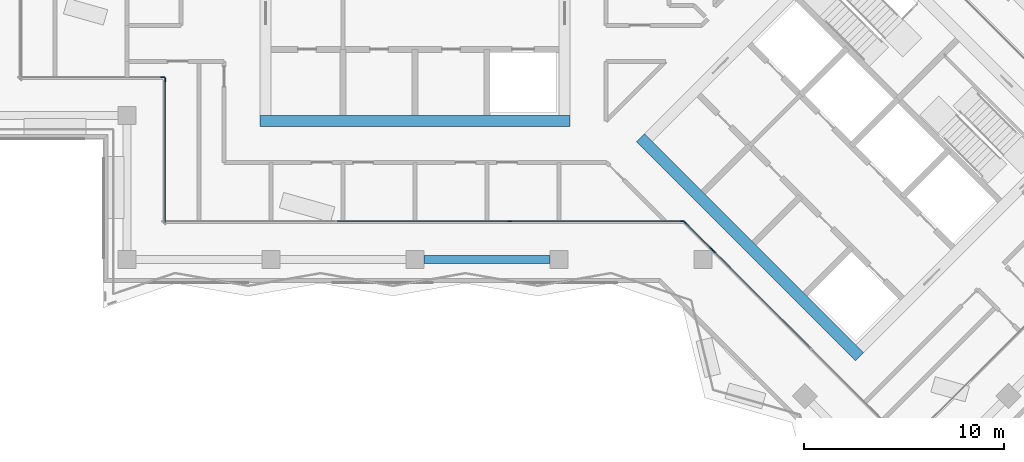
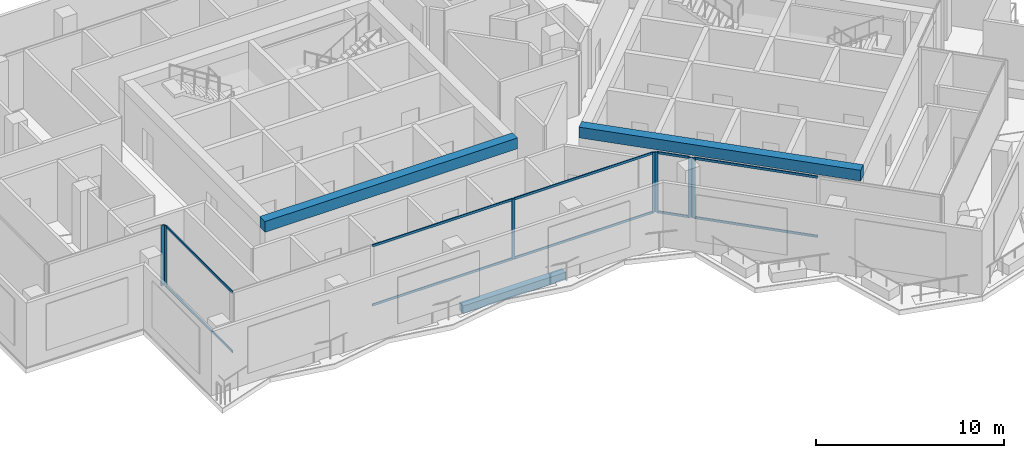
# One storey, part 3 of 19: 17 members, 3 beams, 5 elements without a shape of their own.
"""IFC4 building model written with IfcOpenShell, lengths in metres."""

from ifc_helpers import new_model, si_unit, direction, frame, origin, origin_2d, place, context, subcontext, project, spatial, rectangle, extrude, material, material_profile, profile_set, type_object, element, aggregate, save


model = new_model("IFC4")

# Units and contexts
model_context = context("Model", 3, precision=1e-05, world=origin(), true_north=direction((0.0, 1.0)))
body_context = subcontext(model_context, "Body", "Model", "MODEL_VIEW")
ifc_project = project(units=[si_unit("LENGTHUNIT", "METRE"), si_unit("AREAUNIT", "SQUARE_METRE"), si_unit("VOLUMEUNIT", "CUBIC_METRE"), si_unit("PLANEANGLEUNIT", "RADIAN"), si_unit("MASSUNIT", "GRAM", prefix="KILO")], contexts=[model_context])

# Site, building, storey
site_placement = place(None, origin())
site = spatial("IfcSite", under=ifc_project, at=site_placement, CompositionType="ELEMENT")
building_placement = place(site_placement, origin())
building = spatial("IfcBuilding", under=site, at=building_placement, Name="Windrow Commons", CompositionType="ELEMENT")
storey_placement = place(building_placement, frame((0.0, 0.0, 176.2)))
storey = spatial("IfcBuildingStorey", under=building, at=storey_placement, Name="L48", CompositionType="ELEMENT", Elevation=176.2)

# Curtain wall, member
ifc_material_1 = material(Name="Clear laminated glass in Aluminium 6063-T6 anodised frame", Category="aluminium")
curtain_wall_type = type_object("IfcCurtainWallType", Name="Curtain wall CW2H sky lounge upper", PredefinedType="USERDEFINED", material=ifc_material_1)
placement = place(storey_placement, origin())
curtain_wall_1 = element("IfcCurtainWall", 1, at=placement, inside=storey, type_object=curtain_wall_type, Name="Curtain wall CW2H L48 10", ObjectType="UNITISED", PredefinedType="USERDEFINED")
ifc_material_2 = material(Name="Aluminium 6063-T6", Category="aluminium")
ifc_material_profile_1 = material_profile(ifc_material_2, rectangle(XDim=0.06, YDim=0.2, at=origin_2d()))
ifc_profile_set_1 = profile_set([ifc_material_profile_1], Name="Aluminium 6063-T6")
member_type_1 = type_object("IfcMemberType", Name="CW2H mullion 60x200", PredefinedType="MULLION", material=ifc_profile_set_1)
member_1_placement = place(storey_placement, frame((52.17, 52.3, 0.0), z_axis=(0.0, 0.0, 1.0), x_axis=(0.0, 1.0, 0.0)))
member_1 = element("IfcMember", 2, at=member_1_placement, type_object=member_type_1, Name="CW2H mullion 2", PredefinedType="MULLION", context=body_context, shape_type="SweptSolid", body=[
    extrude(rectangle(XDim=0.06, YDim=0.2, at=origin_2d()), origin(), (0.0, 0.0, 1.0), 3.9),
])
aggregate(curtain_wall_1, [member_1])

curtain_wall_2 = element("IfcCurtainWall", 3, at=placement, inside=storey, type_object=curtain_wall_type, Name="Curtain wall CW2H L48 11", ObjectType="UNITISED", PredefinedType="USERDEFINED")
member_2_placement = place(storey_placement, frame((52.3, 52.17, 0.0), z_axis=(0.0, 0.0, 1.0), x_axis=(1.0, 0.0, 0.0)))
member_2 = element("IfcMember", 4, at=member_2_placement, type_object=member_type_1, Name="CW2H mullion 1", PredefinedType="MULLION", context=body_context, shape_type="SweptSolid", body=[
    extrude(rectangle(XDim=0.06, YDim=0.2, at=origin_2d()), origin(), (0.0, 0.0, 1.0), 3.9),
])

# Curtain wall, members
curtain_wall_3 = element("IfcCurtainWall", 5, at=placement, inside=storey, type_object=curtain_wall_type, Name="Curtain wall CW2H L48 12", ObjectType="UNITISED", PredefinedType="USERDEFINED")
member_3_placement = place(storey_placement, frame((69.5324, 45.1, 0.0), z_axis=(0.0, 0.0, 1.0), x_axis=(0.0, 1.0, 0.0)))
member_3 = element("IfcMember", 6, at=member_3_placement, type_object=member_type_1, Name="CW2H mullion 3", PredefinedType="MULLION", context=body_context, shape_type="SweptSolid", body=[
    extrude(rectangle(XDim=0.06, YDim=0.2, at=origin_2d()), origin(), (0.0, 0.0, 1.0), 3.9),
])
member_4_placement = place(storey_placement, frame((78.1686, 45.1, 0.0), z_axis=(0.0, 0.0, 1.0), x_axis=(0.0, 1.0, 0.0)))
member_4 = element("IfcMember", 7, at=member_4_placement, type_object=member_type_1, Name="CW2H mullion 4", PredefinedType="MULLION", context=body_context, shape_type="SweptSolid", body=[
    extrude(rectangle(XDim=0.06, YDim=0.2, at=origin_2d()), origin(), (0.0, 0.0, 1.0), 3.9),
])

curtain_wall_4 = element("IfcCurtainWall", 8, at=placement, inside=storey, type_object=curtain_wall_type, Name="Curtain wall CW2H L48 13", ObjectType="UNITISED", PredefinedType="USERDEFINED")
member_5_placement = place(storey_placement, frame((78.2905, 45.0495, 0.0), z_axis=(0.0, 0.0, 1.0), x_axis=(0.7071099424, 0.70710362, 0.0)))
member_5 = element("IfcMember", 9, at=member_5_placement, type_object=member_type_1, Name="CW2H mullion 1", PredefinedType="MULLION", context=body_context, shape_type="SweptSolid", body=[
    extrude(rectangle(XDim=0.06, YDim=0.2, at=origin_2d()), origin(), (0.0, 0.0, 1.0), 3.9),
])
member_6_placement = place(storey_placement, frame((79.5967, 43.7433, 0.0), z_axis=(0.0, 0.0, 1.0), x_axis=(0.7071099424, 0.70710362, 0.0)))
member_6 = element("IfcMember", 10, at=member_6_placement, type_object=member_type_1, Name="CW2H mullion 2", PredefinedType="MULLION", context=body_context, shape_type="SweptSolid", body=[
    extrude(rectangle(XDim=0.06, YDim=0.2, at=origin_2d()), origin(), (0.0, 0.0, 1.0), 3.9),
])

# Curtain wall, member
curtain_wall_5 = element("IfcCurtainWall", 11, at=placement, inside=storey, type_object=curtain_wall_type, Name="Curtain wall CW2H L48 13.2", ObjectType="UNITISED", PredefinedType="USERDEFINED")
member_7_placement = place(storey_placement, frame((79.7433, 43.5967, 0.0), z_axis=(0.0, 0.0, 1.0), x_axis=(0.7071099425, 0.7071036198, 0.0)))
member_7 = element("IfcMember", 12, at=member_7_placement, type_object=member_type_1, Name="CW2H mullion 1", PredefinedType="MULLION", context=body_context, shape_type="SweptSolid", body=[
    extrude(rectangle(XDim=0.06, YDim=0.2, at=origin_2d()), origin(), (0.0, 0.0, 1.0), 3.9),
])

# Member
ifc_material_3 = material(Name="Aluminium 6063-T6", Category="aluminium")
ifc_material_profile_2 = material_profile(ifc_material_3, rectangle(XDim=0.06, YDim=0.15, at=origin_2d()))
ifc_profile_set_2 = profile_set([ifc_material_profile_2], Name="Aluminium 6063-T6")
member_type_2 = type_object("IfcMemberType", Name="CW2H transom 60x150", PredefinedType="USERDEFINED", material=ifc_profile_set_2)
member_8_placement = place(storey_placement, frame((52.3, 52.14, 0.03), z_axis=(0.0, -1.0, 0.0), x_axis=(1.0, 0.0, 0.0)))
member_8 = element("IfcMember", 13, at=member_8_placement, type_object=member_type_2, Name="CW2H transom 1.1", ObjectType="TRANSOM", PredefinedType="USERDEFINED", context=body_context, shape_type="SweptSolid", body=[
    extrude(rectangle(XDim=0.06, YDim=0.15, at=origin_2d()), origin(), (0.0, 0.0, 1.0), 7.08),
])

member_9_placement = place(storey_placement, frame((52.3, 52.14, 3.87), z_axis=(0.0, -1.0, 0.0), x_axis=(1.0, 0.0, 0.0)))
member_9 = element("IfcMember", 14, at=member_9_placement, type_object=member_type_2, Name="CW2H transom 1.2", ObjectType="TRANSOM", PredefinedType="USERDEFINED", context=body_context, shape_type="SweptSolid", body=[
    extrude(rectangle(XDim=0.06, YDim=0.15, at=origin_2d()), origin(), (0.0, 0.0, 1.0), 7.08),
])

aggregate(curtain_wall_2, [member_2, member_8, member_9])

member_10_placement = place(storey_placement, frame((60.8962, 45.1, 0.03), z_axis=(1.0, 0.0, 0.0), x_axis=(0.0, 1.0, 0.0)))
member_10 = element("IfcMember", 15, at=member_10_placement, type_object=member_type_2, Name="CW2H transom 2.1", ObjectType="TRANSOM", PredefinedType="USERDEFINED", context=body_context, shape_type="SweptSolid", body=[
    extrude(rectangle(XDim=0.06, YDim=0.15, at=origin_2d()), origin(), (0.0, 0.0, 1.0), 8.6062),
])

member_11_placement = place(storey_placement, frame((60.8962, 45.1, 3.87), z_axis=(1.0, 0.0, 0.0), x_axis=(0.0, 1.0, 0.0)))
member_11 = element("IfcMember", 16, at=member_11_placement, type_object=member_type_2, Name="CW2H transom 2.2", ObjectType="TRANSOM", PredefinedType="USERDEFINED", context=body_context, shape_type="SweptSolid", body=[
    extrude(rectangle(XDim=0.06, YDim=0.15, at=origin_2d()), origin(), (0.0, 0.0, 1.0), 8.6062),
])

member_12_placement = place(storey_placement, frame((69.5624, 45.1, 0.03), z_axis=(1.0, 0.0, 0.0), x_axis=(0.0, 1.0, 0.0)))
member_12 = element("IfcMember", 17, at=member_12_placement, type_object=member_type_2, Name="CW2H transom 3.1", ObjectType="TRANSOM", PredefinedType="USERDEFINED", context=body_context, shape_type="SweptSolid", body=[
    extrude(rectangle(XDim=0.06, YDim=0.15, at=origin_2d()), origin(), (0.0, 0.0, 1.0), 8.5762),
])

member_13_placement = place(storey_placement, frame((69.5624, 45.1, 3.87), z_axis=(1.0, 0.0, 0.0), x_axis=(0.0, 1.0, 0.0)))
member_13 = element("IfcMember", 18, at=member_13_placement, type_object=member_type_2, Name="CW2H transom 3.2", ObjectType="TRANSOM", PredefinedType="USERDEFINED", context=body_context, shape_type="SweptSolid", body=[
    extrude(rectangle(XDim=0.06, YDim=0.15, at=origin_2d()), origin(), (0.0, 0.0, 1.0), 8.5762),
])

aggregate(curtain_wall_3, [member_3, member_4, member_10, member_11, member_12, member_13])

member_14_placement = place(storey_placement, frame((78.3117, 45.0283, 0.03), z_axis=(0.7071347572, -0.7070788041, 0.0), x_axis=(0.7070788041, 0.7071347572, 0.0)))
member_14 = element("IfcMember", 19, at=member_14_placement, type_object=member_type_2, Name="CW2H transom 1.1", ObjectType="TRANSOM", PredefinedType="USERDEFINED", context=body_context, shape_type="SweptSolid", body=[
    extrude(rectangle(XDim=0.06, YDim=0.15, at=origin_2d()), origin(), (0.0, 0.0, 1.0), 1.7872),
])

member_15_placement = place(storey_placement, frame((78.3117, 45.0283, 3.87), z_axis=(0.7071347572, -0.7070788041, 0.0), x_axis=(0.7070788041, 0.7071347572, 0.0)))
member_15 = element("IfcMember", 20, at=member_15_placement, type_object=member_type_2, Name="CW2H transom 1.2", ObjectType="TRANSOM", PredefinedType="USERDEFINED", context=body_context, shape_type="SweptSolid", body=[
    extrude(rectangle(XDim=0.06, YDim=0.15, at=origin_2d()), origin(), (0.0, 0.0, 1.0), 1.7872),
])

aggregate(curtain_wall_4, [member_5, member_6, member_14, member_15])

member_16_placement = place(storey_placement, frame((79.7646, 43.5755, 0.03), z_axis=(0.7070994183, -0.707114144, 0.0), x_axis=(0.707114144, 0.7070994183, 0.0)))
member_16 = element("IfcMember", 21, at=member_16_placement, type_object=member_type_2, Name="CW2H transom 1.1", ObjectType="TRANSOM", PredefinedType="USERDEFINED", context=body_context, shape_type="SweptSolid", body=[
    extrude(rectangle(XDim=0.06, YDim=0.15, at=origin_2d()), origin(), (0.0, 0.0, 1.0), 6.7908),
])

member_17_placement = place(storey_placement, frame((79.7646, 43.5755, 3.87), z_axis=(0.7070994183, -0.707114144, 0.0), x_axis=(0.707114144, 0.7070994183, 0.0)))
member_17 = element("IfcMember", 22, at=member_17_placement, type_object=member_type_2, Name="CW2H transom 1.2", ObjectType="TRANSOM", PredefinedType="USERDEFINED", context=body_context, shape_type="SweptSolid", body=[
    extrude(rectangle(XDim=0.06, YDim=0.15, at=origin_2d()), origin(), (0.0, 0.0, 1.0), 6.7908),
])

aggregate(curtain_wall_5, [member_7, member_16, member_17])

# Beams
ifc_material_4 = material(Name="Concrete C50/60", Category="concrete")
ifc_material_profile_3 = material_profile(ifc_material_4, rectangle(XDim=0.55, YDim=0.7, at=origin_2d()))
ifc_profile_set_3 = profile_set([ifc_material_profile_3], Name="Concrete C50/60")
beam_type_1 = type_object("IfcBeamType", Name="RC COUPLING BEAM 550x700 C50/60", PredefinedType="LINTEL", material=ifc_profile_set_3)
for number, where, z_axis, x_axis, name in (
    (23, (57.05, 50.125, 3.55), (1.0, 0.0, 0.0), (0.0, 1.0, 0.0), "Core A coupling beam outer-S"),
    (24, (76.0711, 49.2842, 3.55), (0.7071035554, -0.707110007, 0.0), (0.707110007, 0.7071035554, 0.0), "Core B coupling beam outer-S"),
):
    element("IfcBeam", number, at=place(storey_placement, frame(where, z_axis=z_axis, x_axis=x_axis)), inside=storey, type_object=beam_type_1, Name=name, PredefinedType="LINTEL", context=body_context, shape_type="SweptSolid", body=[
        extrude(rectangle(XDim=0.55, YDim=0.7, at=origin_2d()), origin(), (0.0, 0.0, 1.0), 15.5),
    ])
ifc_material_5 = material(Name="Concrete C50/60", Category="concrete")
ifc_material_profile_4 = material_profile(ifc_material_5, rectangle(XDim=0.4, YDim=0.5, at=origin_2d()))
ifc_profile_set_4 = profile_set([ifc_material_profile_4], Name="Concrete C50/60")
beam_type_2 = type_object("IfcBeamType", Name="RC EDGE BEAM 400x500 C50/60", PredefinedType="SPANDREL", material=ifc_profile_set_4)
beam_placement = place(storey_placement, frame((71.55, 43.2, -0.55), z_axis=(-1.0, 0.0, 0.0), x_axis=(0.0, -1.0, 0.0)))
element("IfcBeam", 25, at=beam_placement, inside=storey, type_object=beam_type_2, Name="Edge beam L48 026", PredefinedType="SPANDREL", context=body_context, shape_type="SweptSolid", body=[
    extrude(rectangle(XDim=0.4, YDim=0.5, at=origin_2d()), origin(), (0.0, 0.0, 1.0), 6.3),
])

save(model, "model.ifc")
